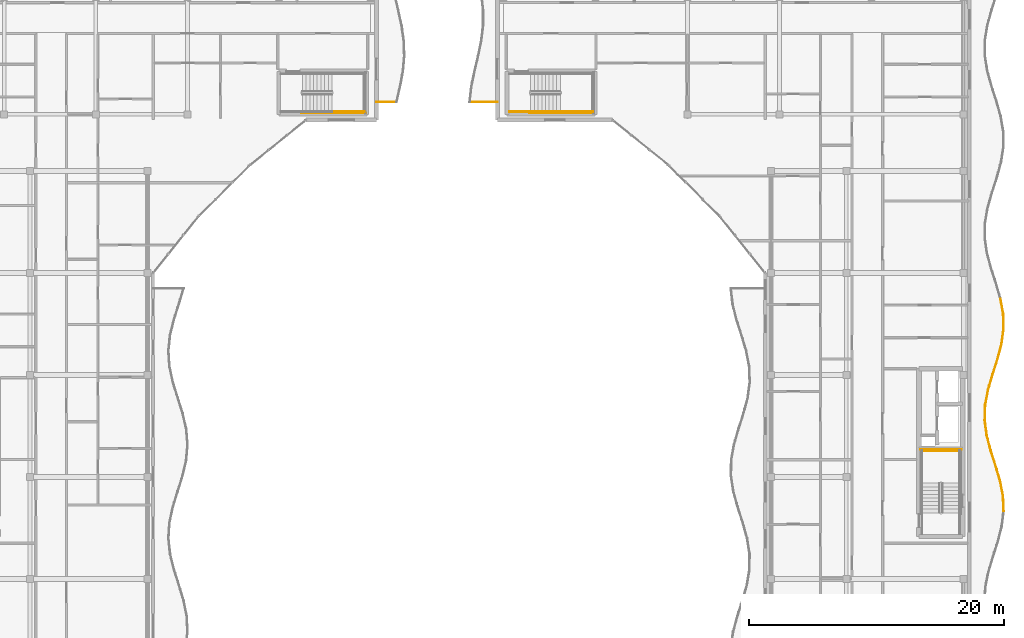
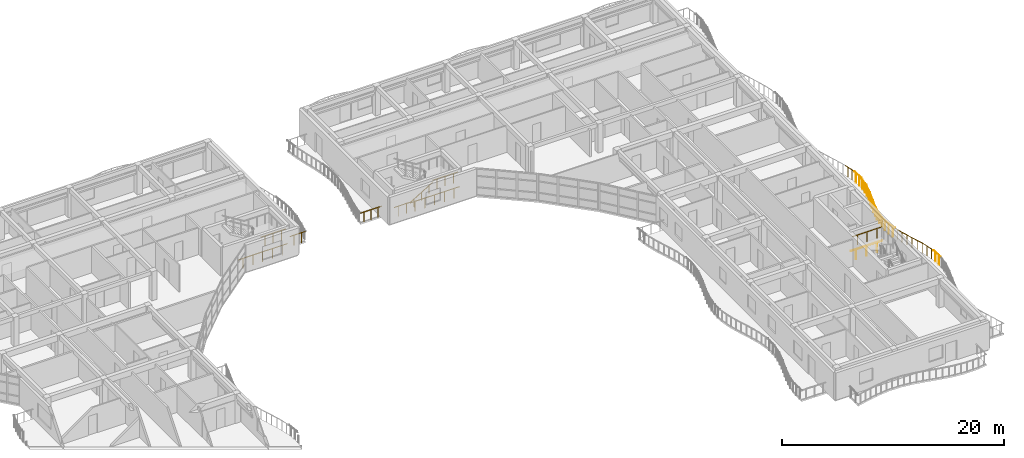
# One storey, part 64 of 68: 24 railings.
"""IFC4 building model written with IfcOpenShell, lengths in metres."""

from ifc_helpers import new_model, si_unit, direction, frame, origin, origin_2d, place, context, subcontext, project, spatial, circle, extrude, material, type_object, element, save


model = new_model("IFC4")

# Units and contexts
model_context = context("Model", 3, precision=1e-05, world=origin(), true_north=direction((0.0, 1.0)))
body_context = subcontext(model_context, "Body", "Model", "MODEL_VIEW")
ifc_project = project(units=[si_unit("LENGTHUNIT", "METRE"), si_unit("AREAUNIT", "SQUARE_METRE"), si_unit("VOLUMEUNIT", "CUBIC_METRE"), si_unit("PLANEANGLEUNIT", "RADIAN"), si_unit("MASSUNIT", "GRAM", prefix="KILO")], contexts=[model_context])

# Site, building, storey
site_placement = place(None, origin())
site = spatial("IfcSite", under=ifc_project, at=site_placement, CompositionType="ELEMENT")
building_placement = place(site_placement, origin())
building = spatial("IfcBuilding", under=site, at=building_placement, Name="Keldmere Railside Commons", CompositionType="ELEMENT")
storey_placement = place(building_placement, frame((0.0, 0.0, 23.360107421875)))
storey = spatial("IfcBuildingStorey", under=building, at=storey_placement, Name="L07", CompositionType="ELEMENT", Elevation=23.360107421875)

# Railings
ifc_material = material(Name="Steel F-24 (S235)", Category="steel")
railing_type_1 = type_object("IfcRailingType", Name="Balcony & Terrace Steel Balustrade 1100", PredefinedType="BALUSTRADE", material=ifc_material)
railing_1_placement = place(storey_placement, frame((137.5, 101.39990234375, 0.0)))
element("IfcRailing", 1, at=railing_1_placement, inside=storey, type_object=railing_type_1, Name="GR-1 GRD-L07-2722", PredefinedType="BALUSTRADE", context=body_context, shape_type="SweptSolid", body=[
    extrude(circle(Radius=0.02392578125, at=origin_2d()), frame((0.0, 0.0, 1.076171875), z_axis=(1.0, 0.0, 0.0), x_axis=(0.0, 1.0, 0.0)), (0.0, 0.0, 1.0), 1.576904296875),
    extrude(circle(Radius=0.02099609375, at=origin_2d()), frame((0.394287109375, 0.0, 0.0)), (0.0, 0.0, 1.0), 1.048095703125),
    extrude(circle(Radius=0.02099609375, at=origin_2d()), frame((1.1826171875, 0.0, 0.0)), (0.0, 0.0, 1.0), 1.048095703125),
])
railing_2_placement = place(storey_placement, frame((186.69287109375, 69.316650390625, 0.0)))
element("IfcRailing", 2, at=railing_2_placement, inside=storey, type_object=railing_type_1, Name="GR-1 GRD-L07-4022", PredefinedType="BALUSTRADE", context=body_context, shape_type="SweptSolid", body=[
    extrude(circle(Radius=0.02392578125, at=origin_2d()), frame((0.0, 0.0, 1.076171875), z_axis=(-0.039510202673, 0.999219167092, 0.0), x_axis=(-0.999219167092, -0.039510202673, 0.0)), (0.0, 0.0, 1.0), 1.192626953125),
    extrude(circle(Radius=0.02099609375, at=origin_2d()), frame((-0.01171875, 0.2978515625, 0.0)), (0.0, 0.0, 1.0), 1.048095703125),
    extrude(circle(Radius=0.02099609375, at=origin_2d()), frame((-0.035400390625, 0.893798828125, 0.0)), (0.0, 0.0, 1.0), 1.048095703125),
])
railing_3_placement = place(storey_placement, frame((186.645751953125, 70.50830078125, 0.0)))
element("IfcRailing", 3, at=railing_3_placement, inside=storey, type_object=railing_type_1, Name="GR-1 GRD-L07-4023", PredefinedType="BALUSTRADE", context=body_context, shape_type="SweptSolid", body=[
    extrude(circle(Radius=0.02392578125, at=origin_2d()), frame((0.0, 0.0, 1.076171875), z_axis=(-0.190272056097, 0.981731401489, 0.0), x_axis=(-0.981731401489, -0.190272056097, 0.0)), (0.0, 0.0, 1.0), 1.2138671875),
    extrude(circle(Radius=0.02099609375, at=origin_2d()), frame((-0.0576171875, 0.2978515625, 0.0)), (0.0, 0.0, 1.0), 1.048095703125),
    extrude(circle(Radius=0.02099609375, at=origin_2d()), frame((-0.17333984375, 0.893798828125, 0.0)), (0.0, 0.0, 1.0), 1.048095703125),
])
railing_4_placement = place(storey_placement, frame((186.414794921875, 71.699951171875, 0.0)))
element("IfcRailing", 4, at=railing_4_placement, inside=storey, type_object=railing_type_1, Name="GR-1 GRD-L07-4024", PredefinedType="BALUSTRADE", context=body_context, shape_type="SweptSolid", body=[
    extrude(circle(Radius=0.02392578125, at=origin_2d()), frame((0.0, 0.0, 1.076171875), z_axis=(-0.284770309761, 0.958595780649, 0.0), x_axis=(-0.958595780649, -0.284770309761, 0.0)), (0.0, 0.0, 1.0), 1.2431640625),
    extrude(circle(Radius=0.02099609375, at=origin_2d()), frame((-0.08837890625, 0.2978515625, 0.0)), (0.0, 0.0, 1.0), 1.048095703125),
    extrude(circle(Radius=0.02099609375, at=origin_2d()), frame((-0.265625, 0.893798828125, 0.0)), (0.0, 0.0, 1.0), 1.048095703125),
])
railing_5_placement = place(storey_placement, frame((186.060791015625, 72.8916015625, 0.0)))
element("IfcRailing", 5, at=railing_5_placement, inside=storey, type_object=railing_type_1, Name="GR-1 GRD-L07-4025", PredefinedType="BALUSTRADE", context=body_context, shape_type="SweptSolid", body=[
    extrude(circle(Radius=0.02392578125, at=origin_2d()), frame((0.0, 0.0, 1.076171875), z_axis=(-0.306028121294, 0.952022472937, 0.0), x_axis=(-0.952022472937, -0.306028121294, 0.0)), (0.0, 0.0, 1.0), 1.251708984375),
    extrude(circle(Radius=0.02099609375, at=origin_2d()), frame((-0.095703125, 0.2978515625, 0.0)), (0.0, 0.0, 1.0), 1.048095703125),
    extrude(circle(Radius=0.02099609375, at=origin_2d()), frame((-0.287353515625, 0.893798828125, 0.0)), (0.0, 0.0, 1.0), 1.048095703125),
])
railing_6_placement = place(storey_placement, frame((185.677734375, 74.083251953125, 0.0)))
element("IfcRailing", 6, at=railing_6_placement, inside=storey, type_object=railing_type_1, Name="GR-1 GRD-L07-4026", PredefinedType="BALUSTRADE", context=body_context, shape_type="SweptSolid", body=[
    extrude(circle(Radius=0.02392578125, at=origin_2d()), frame((0.0, 0.0, 1.076171875), z_axis=(-0.252736587554, 0.967535124588, 0.0), x_axis=(-0.967535124588, -0.252736587554, 0.0)), (0.0, 0.0, 1.0), 1.231689453125),
    extrude(circle(Radius=0.02099609375, at=origin_2d()), frame((-0.077880859375, 0.2978515625, 0.0)), (0.0, 0.0, 1.0), 1.048095703125),
    extrude(circle(Radius=0.02099609375, at=origin_2d()), frame((-0.2333984375, 0.893798828125, 0.0)), (0.0, 0.0, 1.0), 1.048095703125),
])
railing_7_placement = place(storey_placement, frame((185.366455078125, 75.27490234375, 0.0)))
element("IfcRailing", 7, at=railing_7_placement, inside=storey, type_object=railing_type_1, Name="GR-1 GRD-L07-4027", PredefinedType="BALUSTRADE", context=body_context, shape_type="SweptSolid", body=[
    extrude(circle(Radius=0.02392578125, at=origin_2d()), frame((0.0, 0.0, 1.076171875), z_axis=(-0.130580589919, 0.991437698263, 0.0), x_axis=(-0.991437698263, -0.130580589919, 0.0)), (0.0, 0.0, 1.0), 1.2021484375),
    extrude(circle(Radius=0.02099609375, at=origin_2d()), frame((-0.039306640625, 0.2978515625, 0.0)), (0.0, 0.0, 1.0), 1.048095703125),
    extrude(circle(Radius=0.02099609375, at=origin_2d()), frame((-0.11767578125, 0.89404296875, 0.0)), (0.0, 0.0, 1.0), 1.048095703125),
])
railing_8_placement = place(storey_placement, frame((185.20947265625, 76.466796875, 0.0)))
element("IfcRailing", 8, at=railing_8_placement, inside=storey, type_object=railing_type_1, Name="GR-1 GRD-L07-4028", PredefinedType="BALUSTRADE", context=body_context, shape_type="SweptSolid", body=[
    extrude(circle(Radius=0.02392578125, at=origin_2d()), frame((0.0, 0.0, 1.076171875), z_axis=(0.032564686713, 0.999469629943, 0.0), x_axis=(-0.999469629943, 0.032564686713, 0.0)), (0.0, 0.0, 1.0), 1.192138671875),
    extrude(circle(Radius=0.02099609375, at=origin_2d()), frame((0.009765625, 0.2978515625, 0.0)), (0.0, 0.0, 1.0), 1.048095703125),
    extrude(circle(Radius=0.02099609375, at=origin_2d()), frame((0.029052734375, 0.8935546875, 0.0)), (0.0, 0.0, 1.0), 1.048095703125),
])
railing_9_placement = place(storey_placement, frame((185.248291015625, 77.658203125, 0.0)))
element("IfcRailing", 9, at=railing_9_placement, inside=storey, type_object=railing_type_1, Name="GR-1 GRD-L07-4029", PredefinedType="BALUSTRADE", context=body_context, shape_type="SweptSolid", body=[
    extrude(circle(Radius=0.02392578125, at=origin_2d()), frame((0.0, 0.0, 1.076171875), z_axis=(0.184798992056, 0.982776339019, 0.0), x_axis=(-0.982776339019, 0.184798992056, 0.0)), (0.0, 0.0, 1.0), 1.212890625),
    extrude(circle(Radius=0.02099609375, at=origin_2d()), frame((0.05615234375, 0.2978515625, 0.0)), (0.0, 0.0, 1.0), 1.048095703125),
    extrude(circle(Radius=0.02099609375, at=origin_2d()), frame((0.16796875, 0.89404296875, 0.0)), (0.0, 0.0, 1.0), 1.048095703125),
])
railing_10_placement = place(storey_placement, frame((185.472412109375, 78.85009765625, 0.0)))
element("IfcRailing", 10, at=railing_10_placement, inside=storey, type_object=railing_type_1, Name="GR-1 GRD-L07-4030", PredefinedType="BALUSTRADE", context=body_context, shape_type="SweptSolid", body=[
    extrude(circle(Radius=0.02392578125, at=origin_2d()), frame((0.0, 0.0, 1.076171875), z_axis=(0.282240810519, 0.959343590627, 0.0), x_axis=(-0.959343590627, 0.282240810519, 0.0)), (0.0, 0.0, 1.0), 1.2421875),
    extrude(circle(Radius=0.02099609375, at=origin_2d()), frame((0.087646484375, 0.2978515625, 0.0)), (0.0, 0.0, 1.0), 1.048095703125),
    extrude(circle(Radius=0.02099609375, at=origin_2d()), frame((0.262939453125, 0.893798828125, 0.0)), (0.0, 0.0, 1.0), 1.048095703125),
])
railing_11_placement = place(storey_placement, frame((185.822998046875, 80.041748046875, 0.0)))
element("IfcRailing", 11, at=railing_11_placement, inside=storey, type_object=railing_type_1, Name="GR-1 GRD-L07-4031", PredefinedType="BALUSTRADE", context=body_context, shape_type="SweptSolid", body=[
    extrude(circle(Radius=0.02392578125, at=origin_2d()), frame((0.0, 0.0, 1.076171875), z_axis=(0.306734987386, 0.951794960857, 0.0), x_axis=(-0.951794960857, 0.306734987386, 0.0)), (0.0, 0.0, 1.0), 1.251953125),
    extrude(circle(Radius=0.02099609375, at=origin_2d()), frame((0.095947265625, 0.2978515625, 0.0)), (0.0, 0.0, 1.0), 1.048095703125),
    extrude(circle(Radius=0.02099609375, at=origin_2d()), frame((0.2880859375, 0.893798828125, 0.0)), (0.0, 0.0, 1.0), 1.048095703125),
])
railing_12_placement = place(storey_placement, frame((186.20703125, 81.2333984375, 0.0)))
element("IfcRailing", 12, at=railing_12_placement, inside=storey, type_object=railing_type_1, Name="GR-1 GRD-L07-4032", PredefinedType="BALUSTRADE", context=body_context, shape_type="SweptSolid", body=[
    extrude(circle(Radius=0.02392578125, at=origin_2d()), frame((0.0, 0.0, 1.076171875), z_axis=(0.256442250161, 0.966559554467, 0.0), x_axis=(-0.966559554467, 0.256442250161, 0.0)), (0.0, 0.0, 1.0), 1.23291015625),
    extrude(circle(Radius=0.02099609375, at=origin_2d()), frame((0.0791015625, 0.2978515625, 0.0)), (0.0, 0.0, 1.0), 1.048095703125),
    extrude(circle(Radius=0.02099609375, at=origin_2d()), frame((0.237060546875, 0.893798828125, 0.0)), (0.0, 0.0, 1.0), 1.048095703125),
])
railing_13_placement = place(storey_placement, frame((186.523193359375, 82.425048828125, 0.0)))
element("IfcRailing", 13, at=railing_13_placement, inside=storey, type_object=railing_type_1, Name="GR-1 GRD-L07-4033", PredefinedType="BALUSTRADE", context=body_context, shape_type="SweptSolid", body=[
    extrude(circle(Radius=0.02392578125, at=origin_2d()), frame((0.0, 0.0, 1.076171875), z_axis=(0.136788483382, 0.99060027802, 0.0), x_axis=(-0.99060027802, 0.136788483382, 0.0)), (0.0, 0.0, 1.0), 1.202880859375),
    extrude(circle(Radius=0.02099609375, at=origin_2d()), frame((0.041015625, 0.2978515625, 0.0)), (0.0, 0.0, 1.0), 1.048095703125),
    extrude(circle(Radius=0.02099609375, at=origin_2d()), frame((0.12353515625, 0.893798828125, 0.0)), (0.0, 0.0, 1.0), 1.048095703125),
])
railing_14_placement = place(storey_placement, frame((186.687744140625, 83.61669921875, 0.0)))
element("IfcRailing", 14, at=railing_14_placement, inside=storey, type_object=railing_type_1, Name="GR-1 GRD-L07-4034", PredefinedType="BALUSTRADE", context=body_context, shape_type="SweptSolid", body=[
    extrude(circle(Radius=0.02392578125, at=origin_2d()), frame((0.0, 0.0, 1.076171875), z_axis=(-0.025396436151, 0.999677458499, 0.0), x_axis=(-0.999677458499, -0.025396436151, 0.0)), (0.0, 0.0, 1.0), 1.192138671875),
    extrude(circle(Radius=0.02099609375, at=origin_2d()), frame((-0.007568359375, 0.2978515625, 0.0)), (0.0, 0.0, 1.0), 1.048095703125),
    extrude(circle(Radius=0.02099609375, at=origin_2d()), frame((-0.022705078125, 0.893798828125, 0.0)), (0.0, 0.0, 1.0), 1.048095703125),
])
railing_15_placement = place(storey_placement, frame((186.657470703125, 84.808349609375, 0.0)))
element("IfcRailing", 15, at=railing_15_placement, inside=storey, type_object=railing_type_1, Name="GR-1 GRD-L07-4035", PredefinedType="BALUSTRADE", context=body_context, shape_type="SweptSolid", body=[
    extrude(circle(Radius=0.02392578125, at=origin_2d()), frame((0.0, 0.0, 1.076171875), z_axis=(-0.17957709837, 0.983743902518, 0.0), x_axis=(-0.983743902518, -0.17957709837, 0.0)), (0.0, 0.0, 1.0), 1.21142578125),
    extrude(circle(Radius=0.02099609375, at=origin_2d()), frame((-0.054443359375, 0.2978515625, 0.0)), (0.0, 0.0, 1.0), 1.048095703125),
    extrude(circle(Radius=0.02099609375, at=origin_2d()), frame((-0.1630859375, 0.893798828125, 0.0)), (0.0, 0.0, 1.0), 1.048095703125),
])
railing_16_placement = place(storey_placement, frame((147.0, 101.39990234375, 0.0)))
element("IfcRailing", 16, at=railing_16_placement, inside=storey, type_object=railing_type_1, Name="GR-1 GRD-L07-4061", PredefinedType="BALUSTRADE", context=body_context, shape_type="SweptSolid", body=[
    extrude(circle(Radius=0.02392578125, at=origin_2d()), frame((0.0, 0.0, 1.076171875), z_axis=(-1.0, 0.0, 0.0), x_axis=(0.0, -1.0, 0.0)), (0.0, 0.0, 1.0), 2.183349609375),
    extrude(circle(Radius=0.02099609375, at=origin_2d()), frame((-0.36376953125, 0.0, 0.0)), (0.0, 0.0, 1.0), 1.048095703125),
    extrude(circle(Radius=0.02099609375, at=origin_2d()), frame((-1.091796875, 0.0, 0.0)), (0.0, 0.0, 1.0), 1.048095703125),
    extrude(circle(Radius=0.02099609375, at=origin_2d()), frame((-1.8193359375, 0.0, 0.0)), (0.0, 0.0, 1.0), 1.048095703125),
])
railing_type_2 = type_object("IfcRailingType", Name="Stair Well Steel Guardrail 1100", PredefinedType="BALUSTRADE", material=ifc_material)
railing_17_placement = place(storey_placement, frame((134.02001953125, 100.64990234375, 1.599853515625)))
element("IfcRailing", 17, at=railing_17_placement, inside=storey, type_object=railing_type_2, Name="L07 ST-B2 stair guard 3", PredefinedType="BALUSTRADE", context=body_context, shape_type="SweptSolid", body=[
    extrude(circle(Radius=0.02392578125, at=origin_2d()), frame((0.0, 0.0, 1.076171875), z_axis=(1.0, 0.0, 0.0), x_axis=(0.0, 1.0, 0.0)), (0.0, 0.0, 1.0), 2.580078125),
    extrude(circle(Radius=0.02099609375, at=origin_2d()), frame((0.429931640625, 0.0, 0.0)), (0.0, 0.0, 1.0), 1.048095703125),
    extrude(circle(Radius=0.02099609375, at=origin_2d()), frame((1.2900390625, 0.0, 0.0)), (0.0, 0.0, 1.0), 1.048095703125),
    extrude(circle(Radius=0.02099609375, at=origin_2d()), frame((2.150146484375, 0.0, 0.0)), (0.0, 0.0, 1.0), 1.048095703125),
])
railing_18_placement = place(storey_placement, frame((131.60009765625, 100.550048828125, 0.0)))
element("IfcRailing", 18, at=railing_18_placement, inside=storey, type_object=railing_type_2, Name="L07 ST-B2 stair guard 10", PredefinedType="BALUSTRADE", context=body_context, shape_type="SweptSolid", body=[
    extrude(circle(Radius=0.02392578125, at=origin_2d()), frame((0.0, 0.0, 1.076171875), z_axis=(1.0, 0.0, 0.0), x_axis=(0.0, 1.0, 0.0)), (0.0, 0.0, 1.0), 5.099853515625),
    extrude(circle(Radius=0.02099609375, at=origin_2d()), frame((0.510009765625, 0.0, 0.0)), (0.0, 0.0, 1.0), 1.048095703125),
    extrude(circle(Radius=0.02099609375, at=origin_2d()), frame((1.530029296875, 0.0, 0.0)), (0.0, 0.0, 1.0), 1.048095703125),
    extrude(circle(Radius=0.02099609375, at=origin_2d()), frame((2.5498046875, 0.0, 0.0)), (0.0, 0.0, 1.0), 1.048095703125),
    extrude(circle(Radius=0.02099609375, at=origin_2d()), frame((3.56982421875, 0.0, 0.0)), (0.0, 0.0, 1.0), 1.048095703125),
    extrude(circle(Radius=0.02099609375, at=origin_2d()), frame((4.58984375, 0.0, 0.0)), (0.0, 0.0, 1.0), 1.048095703125),
])
railing_19_placement = place(storey_placement, frame((183.300048828125, 74.050048828125, 1.599853515625)))
element("IfcRailing", 19, at=railing_19_placement, inside=storey, type_object=railing_type_2, Name="L07 ST-A1 stair guard 5", PredefinedType="BALUSTRADE", context=body_context, shape_type="SweptSolid", body=[
    extrude(circle(Radius=0.02392578125, at=origin_2d()), frame((0.0, 0.0, 1.076171875), z_axis=(-1.0, 0.0, 0.0), x_axis=(0.0, -1.0, 0.0)), (0.0, 0.0, 1.0), 3.050048828125),
    extrude(circle(Radius=0.02099609375, at=origin_2d()), frame((-0.50830078125, 0.0, 0.0)), (0.0, 0.0, 1.0), 1.048095703125),
    extrude(circle(Radius=0.02099609375, at=origin_2d()), frame((-1.52490234375, 0.0, 0.0)), (0.0, 0.0, 1.0), 1.048095703125),
    extrude(circle(Radius=0.02099609375, at=origin_2d()), frame((-2.541748046875, 0.0, 0.0)), (0.0, 0.0, 1.0), 1.048095703125),
])
railing_20_placement = place(storey_placement, frame((183.39990234375, 74.14990234375, 0.0)))
element("IfcRailing", 20, at=railing_20_placement, inside=storey, type_object=railing_type_2, Name="L07 ST-A1 stair guard 12", PredefinedType="BALUSTRADE", context=body_context, shape_type="SweptSolid", body=[
    extrude(circle(Radius=0.02392578125, at=origin_2d()), frame((0.0, 0.0, 1.076171875), z_axis=(-1.0, 0.0, 0.0), x_axis=(0.0, -1.0, 0.0)), (0.0, 0.0, 1.0), 3.25),
    extrude(circle(Radius=0.02099609375, at=origin_2d()), frame((-0.541748046875, 0.0, 0.0)), (0.0, 0.0, 1.0), 1.048095703125),
    extrude(circle(Radius=0.02099609375, at=origin_2d()), frame((-1.625, 0.0, 0.0)), (0.0, 0.0, 1.0), 1.048095703125),
    extrude(circle(Radius=0.02099609375, at=origin_2d()), frame((-2.708251953125, 0.0, 0.0)), (0.0, 0.0, 1.0), 1.048095703125),
])
railing_21_placement = place(storey_placement, frame((151.919921875, 100.64990234375, 1.599853515625)))
element("IfcRailing", 21, at=railing_21_placement, inside=storey, type_object=railing_type_2, Name="L07 ST-A2 stair guard 3", PredefinedType="BALUSTRADE", context=body_context, shape_type="SweptSolid", body=[
    extrude(circle(Radius=0.02392578125, at=origin_2d()), frame((0.0, 0.0, 1.076171875), z_axis=(1.0, 0.0, 0.0), x_axis=(0.0, 1.0, 0.0)), (0.0, 0.0, 1.0), 2.580078125),
    extrude(circle(Radius=0.02099609375, at=origin_2d()), frame((0.429931640625, 0.0, 0.0)), (0.0, 0.0, 1.0), 1.048095703125),
    extrude(circle(Radius=0.02099609375, at=origin_2d()), frame((1.2900390625, 0.0, 0.0)), (0.0, 0.0, 1.0), 1.048095703125),
    extrude(circle(Radius=0.02099609375, at=origin_2d()), frame((2.150146484375, 0.0, 0.0)), (0.0, 0.0, 1.0), 1.048095703125),
])
railing_22_placement = place(storey_placement, frame((147.89990234375, 100.64990234375, 0.0)))
element("IfcRailing", 22, at=railing_22_placement, inside=storey, type_object=railing_type_2, Name="L07 ST-A2 stair guard 8", PredefinedType="BALUSTRADE", context=body_context, shape_type="SweptSolid", body=[
    extrude(circle(Radius=0.02392578125, at=origin_2d()), frame((0.0, 0.0, 1.076171875), z_axis=(1.0, 0.0, 0.0), x_axis=(0.0, 1.0, 0.0)), (0.0, 0.0, 1.0), 1.7001953125),
    extrude(circle(Radius=0.02099609375, at=origin_2d()), frame((0.425048828125, 0.0, 0.0)), (0.0, 0.0, 1.0), 1.048095703125),
    extrude(circle(Radius=0.02099609375, at=origin_2d()), frame((1.275146484375, 0.0, 0.0)), (0.0, 0.0, 1.0), 1.048095703125),
])
railing_23_placement = place(storey_placement, frame((149.5, 100.550048828125, 0.0)))
element("IfcRailing", 23, at=railing_23_placement, inside=storey, type_object=railing_type_2, Name="L07 ST-A2 stair guard 10", PredefinedType="BALUSTRADE", context=body_context, shape_type="SweptSolid", body=[
    extrude(circle(Radius=0.02392578125, at=origin_2d()), frame((0.0, 0.0, 1.076171875), z_axis=(1.0, 0.0, 0.0), x_axis=(0.0, 1.0, 0.0)), (0.0, 0.0, 1.0), 5.10009765625),
    extrude(circle(Radius=0.02099609375, at=origin_2d()), frame((0.510009765625, 0.0, 0.0)), (0.0, 0.0, 1.0), 1.048095703125),
    extrude(circle(Radius=0.02099609375, at=origin_2d()), frame((1.530029296875, 0.0, 0.0)), (0.0, 0.0, 1.0), 1.048095703125),
    extrude(circle(Radius=0.02099609375, at=origin_2d()), frame((2.550048828125, 0.0, 0.0)), (0.0, 0.0, 1.0), 1.048095703125),
    extrude(circle(Radius=0.02099609375, at=origin_2d()), frame((3.570068359375, 0.0, 0.0)), (0.0, 0.0, 1.0), 1.048095703125),
    extrude(circle(Radius=0.02099609375, at=origin_2d()), frame((4.590087890625, 0.0, 0.0)), (0.0, 0.0, 1.0), 1.048095703125),
])
railing_type_3 = type_object("IfcRailingType", Name="Wall-Mounted Tubular Steel Handrail 900", PredefinedType="HANDRAIL", material=ifc_material)
railing_24_placement = place(storey_placement, frame((149.60009765625, 100.64990234375, 0.177734375)))
element("IfcRailing", 24, at=railing_24_placement, inside=storey, type_object=railing_type_3, Name="L07 ST-A2 stair handrail 1", PredefinedType="HANDRAIL", context=body_context, shape_type="SweptSolid", body=[
    extrude(circle(Radius=0.02392578125, at=origin_2d()), frame((0.0, 0.0, 0.8759765625), z_axis=(0.85255353654, 0.0, 0.522639902162), x_axis=(0.0, 1.0, 0.0)), (0.0, 0.0, 1.0), 2.720947265625),
    extrude(circle(Radius=0.02099609375, at=origin_2d()), frame((0.38671875, 0.0, 0.237060546875)), (0.0, 0.0, 1.0), 0.847900390625),
    extrude(circle(Radius=0.02099609375, at=origin_2d()), frame((1.159912109375, 0.0, 0.7109375)), (0.0, 0.0, 1.0), 0.847900390625),
    extrude(circle(Radius=0.02099609375, at=origin_2d()), frame((1.93310546875, 0.0, 1.18505859375)), (0.0, 0.0, 1.0), 0.847900390625),
])

save(model, "model.ifc")
